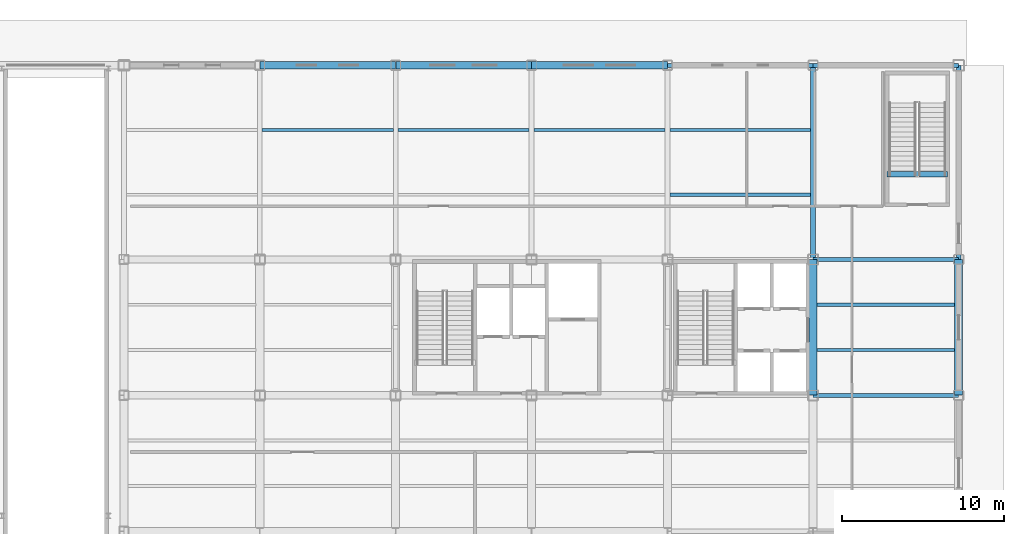
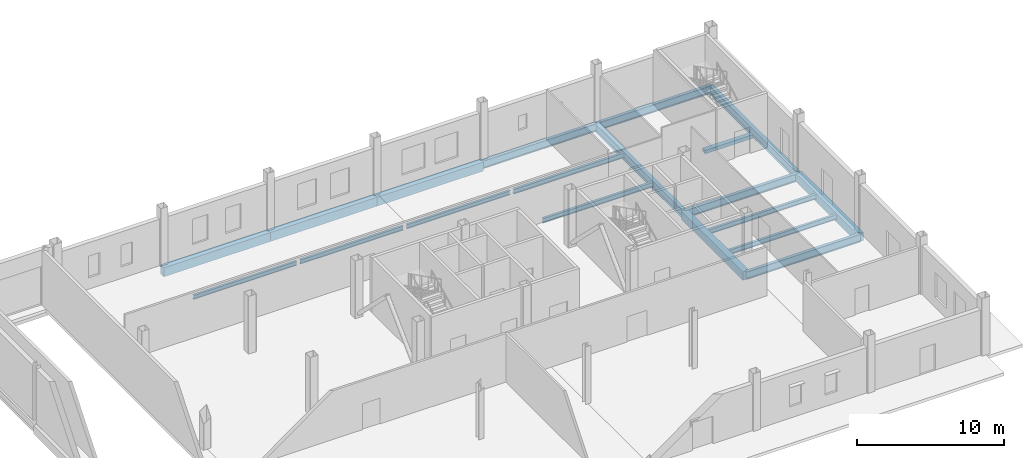
# One storey, part 34 of 82: 19 beams.
"""IFC4 building model written with IfcOpenShell, lengths in metres."""

from ifc_helpers import new_model, si_unit, direction, frame, origin, origin_2d, place, context, subcontext, project, spatial, rectangle, i_section, extrude, material, material_profile, profile_set, type_object, element, save


model = new_model("IFC4")

# Units and contexts
model_context = context("Model", 3, precision=1e-05, world=origin(), true_north=direction((0.0, 1.0)))
body_context = subcontext(model_context, "Body", "Model", "MODEL_VIEW")
ifc_project = project(units=[si_unit("LENGTHUNIT", "METRE"), si_unit("AREAUNIT", "SQUARE_METRE"), si_unit("VOLUMEUNIT", "CUBIC_METRE"), si_unit("PLANEANGLEUNIT", "RADIAN"), si_unit("MASSUNIT", "GRAM", prefix="KILO")], contexts=[model_context])

# Site, building, storey
site_placement = place(None, origin())
site = spatial("IfcSite", under=ifc_project, at=site_placement, CompositionType="ELEMENT")
building_placement = place(site_placement, origin())
building = spatial("IfcBuilding", under=site, at=building_placement, Name="Yukiwa Park Conservatory and Herbarium", CompositionType="ELEMENT")
storey_placement = place(building_placement, origin())
storey = spatial("IfcBuildingStorey", under=building, at=storey_placement, Name="L00", CompositionType="ELEMENT", Elevation=0.0)

# Beams
ifc_material_1 = material(Name="Steel Q355D", Category="steel")
ifc_material_profile_1 = material_profile(ifc_material_1, i_section(OverallWidth=0.25, OverallDepth=0.64990234375, WebThickness=0.011962890625, FlangeThickness=0.02001953125, FilletRadius=0.02392578125, at=origin_2d()), Name="HN 650x250x12x20")
ifc_profile_set_1 = profile_set([ifc_material_profile_1], Name="Steel Q355D")
beam_type_1 = type_object("IfcBeamType", Name="BM-GRD-HN650", PredefinedType="BEAM", material=ifc_profile_set_1)
for number, where, z_axis, x_axis, name in (
    (1, (159.006103515625, 94.800048828125, -0.5849609375), (1.0, 0.0, 0.0), (0.0, 1.0, 0.0), "L00 grid beam X-128"),
    (2, (159.006103515625, 103.199951171875, -0.5849609375), (1.0, 0.0, 0.0), (0.0, 1.0, 0.0), "L00 grid beam X-140"),
    (3, (150.006103515625, 115.199951171875, -0.5849609375), (1.0, 0.0, 0.0), (0.0, 1.0, 0.0), "L00 grid beam X-152"),
    (4, (159.006103515625, 115.199951171875, -0.5849609375), (1.0, 0.0, 0.0), (0.0, 1.0, 0.0), "L00 grid beam X-153"),
):
    element("IfcBeam", number, at=place(storey_placement, frame(where, z_axis=z_axis, x_axis=x_axis)), inside=storey, type_object=beam_type_1, Name=name, PredefinedType="BEAM", context=body_context, shape_type="SweptSolid", body=[
        extrude(i_section(OverallWidth=0.25, OverallDepth=0.64990234375, WebThickness=0.011962890625, FlangeThickness=0.02001953125, FilletRadius=0.02392578125, at=origin_2d()), origin(), (0.0, 0.0, 1.0), 8.98779296875),
    ])
ifc_material_2 = material(Name="Steel Q355D", Category="steel")
ifc_material_profile_2 = material_profile(ifc_material_2, i_section(OverallWidth=0.300048828125, OverallDepth=0.699951171875, WebThickness=0.012939453125, FlangeThickness=0.02392578125, FilletRadius=0.028076171875, at=origin_2d()), Name="HN 700x300x13x24")
ifc_profile_set_2 = profile_set([ifc_material_profile_2], Name="Steel Q355D")
beam_type_2 = type_object("IfcBeamType", Name="BM-GRD-HN700", PredefinedType="BEAM", material=ifc_profile_set_2)
for number, where, z_axis, x_axis, name in (
    (5, (159.0, 103.2060546875, -0.610107421875), (0.0, 1.0, 0.0), (-1.0, 0.0, 0.0), "L00 grid girder Y-297"),
    (6, (168.0, 103.2060546875, -0.610107421875), (0.0, 1.0, 0.0), (-1.0, 0.0, 0.0), "L00 grid girder Y-301"),
):
    element("IfcBeam", number, at=place(storey_placement, frame(where, z_axis=z_axis, x_axis=x_axis)), inside=storey, type_object=beam_type_2, Name=name, PredefinedType="BEAM", context=body_context, shape_type="SweptSolid", body=[
        extrude(i_section(OverallWidth=0.300048828125, OverallDepth=0.699951171875, WebThickness=0.012939453125, FlangeThickness=0.02392578125, FilletRadius=0.028076171875, at=origin_2d()), origin(), (0.0, 0.0, 1.0), 11.988037109375),
    ])
ifc_material_3 = material(Name="Steel Q355D", Category="steel")
ifc_material_profile_3 = material_profile(ifc_material_3, i_section(OverallWidth=0.174072265625, OverallDepth=0.345947265625, WebThickness=0.006103515625, FlangeThickness=0.009033203125, FilletRadius=0.013916015625, at=origin_2d()), Name="HN 346x174x6x9")
ifc_profile_set_3 = profile_set([ifc_material_profile_3], Name="Steel Q355D")
beam_type_3 = type_object("IfcBeamType", Name="BM-JST-HN346", PredefinedType="JOIST", material=ifc_profile_set_3)
beam_1_placement = place(storey_placement, frame((124.946044921875, 111.199951171875, -0.43310546875), z_axis=(1.0, 0.0, 0.0), x_axis=(0.0, 1.0, 0.0)))
element("IfcBeam", 7, at=beam_1_placement, inside=storey, type_object=beam_type_3, Name="L00 composite floor joist 196", PredefinedType="JOIST", context=body_context, shape_type="SweptSolid", body=[
    extrude(i_section(OverallWidth=0.174072265625, OverallDepth=0.345947265625, WebThickness=0.006103515625, FlangeThickness=0.009033203125, FilletRadius=0.013916015625, at=origin_2d()), origin(), (0.0, 0.0, 1.0), 8.10791015625),
])
beam_2_placement = place(storey_placement, frame((133.345947265625, 111.199951171875, -0.43310546875), z_axis=(1.0, 0.0, 0.0), x_axis=(0.0, 1.0, 0.0)))
element("IfcBeam", 8, at=beam_2_placement, inside=storey, type_object=beam_type_3, Name="L00 composite floor joist 202", PredefinedType="JOIST", context=body_context, shape_type="SweptSolid", body=[
    extrude(i_section(OverallWidth=0.174072265625, OverallDepth=0.345947265625, WebThickness=0.006103515625, FlangeThickness=0.009033203125, FilletRadius=0.013916015625, at=origin_2d()), origin(), (0.0, 0.0, 1.0), 8.108154296875),
])
beam_3_placement = place(storey_placement, frame((141.74609375, 111.199951171875, -0.43310546875), z_axis=(1.0, 0.0, 0.0), x_axis=(0.0, 1.0, 0.0)))
element("IfcBeam", 9, at=beam_3_placement, inside=storey, type_object=beam_type_3, Name="L00 composite floor joist 208", PredefinedType="JOIST", context=body_context, shape_type="SweptSolid", body=[
    extrude(i_section(OverallWidth=0.174072265625, OverallDepth=0.345947265625, WebThickness=0.006103515625, FlangeThickness=0.009033203125, FilletRadius=0.013916015625, at=origin_2d()), origin(), (0.0, 0.0, 1.0), 8.10791015625),
])
ifc_material_4 = material(Name="Steel Q355D", Category="steel")
ifc_material_profile_4 = material_profile(ifc_material_4, i_section(OverallWidth=0.198974609375, OverallDepth=0.39599609375, WebThickness=0.007080078125, FlangeThickness=0.010986328125, FilletRadius=0.01611328125, at=origin_2d()), Name="HN 396x199x7x11")
ifc_profile_set_4 = profile_set([ifc_material_profile_4], Name="Steel Q355D")
beam_type_4 = type_object("IfcBeamType", Name="BM-JST-HN396", PredefinedType="JOIST", material=ifc_profile_set_4)
for number, where, z_axis, x_axis, name in (
    (10, (150.14599609375, 107.199951171875, -0.4580078125), (1.0, 0.0, 0.0), (0.0, 1.0, 0.0), "L00 composite floor joist 213"),
    (11, (150.14599609375, 111.199951171875, -0.4580078125), (1.0, 0.0, 0.0), (0.0, 1.0, 0.0), "L00 composite floor joist 214"),
):
    element("IfcBeam", number, at=place(storey_placement, frame(where, z_axis=z_axis, x_axis=x_axis)), inside=storey, type_object=beam_type_4, Name=name, PredefinedType="JOIST", context=body_context, shape_type="SweptSolid", body=[
        extrude(i_section(OverallWidth=0.198974609375, OverallDepth=0.39599609375, WebThickness=0.007080078125, FlangeThickness=0.010986328125, FilletRadius=0.01611328125, at=origin_2d()), origin(), (0.0, 0.0, 1.0), 8.7080078125),
    ])
for number, where, z_axis, x_axis, name in (
    (12, (159.24609375, 97.60009765625, -0.4580078125), (1.0, 0.0, 0.0), (0.0, 1.0, 0.0), "L00 composite floor joist 219"),
    (13, (159.24609375, 100.39990234375, -0.4580078125), (1.0, 0.0, 0.0), (0.0, 1.0, 0.0), "L00 composite floor joist 220"),
):
    element("IfcBeam", number, at=place(storey_placement, frame(where, z_axis=z_axis, x_axis=x_axis)), inside=storey, type_object=beam_type_4, Name=name, PredefinedType="JOIST", context=body_context, shape_type="SweptSolid", body=[
        extrude(i_section(OverallWidth=0.198974609375, OverallDepth=0.39599609375, WebThickness=0.007080078125, FlangeThickness=0.010986328125, FilletRadius=0.01611328125, at=origin_2d()), origin(), (0.0, 0.0, 1.0), 8.5078125),
    ])
ifc_material_5 = material(Name="Concrete C40", Category="concrete")
ifc_material_profile_5 = material_profile(ifc_material_5, rectangle(XDim=0.449951171875, YDim=0.75, at=origin_2d()), Name="RC 450x750")
ifc_profile_set_5 = profile_set([ifc_material_profile_5], Name="Concrete C40")
beam_type_5 = type_object("IfcBeamType", Name="BM-RC-450X750", PredefinedType="BEAM", material=ifc_profile_set_5)
beam_4_placement = place(storey_placement, frame((124.805908203125, 115.199951171875, -0.635009765625), z_axis=(1.0, 0.0, 0.0), x_axis=(0.0, 1.0, 0.0)))
element("IfcBeam", 14, at=beam_4_placement, inside=storey, type_object=beam_type_5, Name="L00 grid beam X-149", PredefinedType="BEAM", context=body_context, shape_type="SweptSolid", body=[
    extrude(rectangle(XDim=0.449951171875, YDim=0.75, at=origin_2d()), origin(), (0.0, 0.0, 1.0), 8.38818359375),
])
for number, where, z_axis, x_axis, name in (
    (15, (133.2060546875, 115.199951171875, -0.635009765625), (1.0, 0.0, 0.0), (0.0, 1.0, 0.0), "L00 grid beam X-150"),
    (16, (141.60595703125, 115.199951171875, -0.635009765625), (1.0, 0.0, 0.0), (0.0, 1.0, 0.0), "L00 grid beam X-151"),
):
    element("IfcBeam", number, at=place(storey_placement, frame(where, z_axis=z_axis, x_axis=x_axis)), inside=storey, type_object=beam_type_5, Name=name, PredefinedType="BEAM", context=body_context, shape_type="SweptSolid", body=[
        extrude(rectangle(XDim=0.449951171875, YDim=0.75, at=origin_2d()), origin(), (0.0, 0.0, 1.0), 8.387939453125),
    ])
ifc_material_6 = material(Name="Concrete C40", Category="concrete")
ifc_material_profile_6 = material_profile(ifc_material_6, rectangle(XDim=0.5, YDim=0.699951171875, at=origin_2d()), Name="RC 500x700")
ifc_profile_set_6 = profile_set([ifc_material_profile_6], Name="Concrete C40")
beam_type_6 = type_object("IfcBeamType", Name="BM-RC-500X700", PredefinedType="BEAM", material=ifc_profile_set_6)
for number, where, z_axis, x_axis, name in (
    (17, (159.0, 94.805908203125, -0.610107421875), (0.0, 1.0, 0.0), (-1.0, 0.0, 0.0), "L00 grid girder Y-296"),
    (18, (168.0, 94.805908203125, -0.610107421875), (0.0, 1.0, 0.0), (-1.0, 0.0, 0.0), "L00 grid girder Y-300"),
):
    element("IfcBeam", number, at=place(storey_placement, frame(where, z_axis=z_axis, x_axis=x_axis)), inside=storey, type_object=beam_type_6, Name=name, PredefinedType="BEAM", context=body_context, shape_type="SweptSolid", body=[
        extrude(rectangle(XDim=0.5, YDim=0.699951171875, at=origin_2d()), origin(), (0.0, 0.0, 1.0), 8.38818359375),
    ])
ifc_material_7 = material(Name="Concrete C40", Category="concrete")
ifc_material_profile_7 = material_profile(ifc_material_7, rectangle(XDim=0.35009765625, YDim=0.300048828125, at=origin_2d()), Name="RC 350x300")
ifc_profile_set_7 = profile_set([ifc_material_profile_7], Name="Concrete C40")
beam_type_7 = type_object("IfcBeamType", Name="BM-STAIR-TRIM", PredefinedType="BEAM", material=ifc_profile_set_7)
beam_5_placement = place(storey_placement, frame((163.570068359375, 108.4599609375, -0.14990234375), z_axis=(1.0, 0.0, 0.0), x_axis=(0.0, 1.0, 0.0)))
element("IfcBeam", 19, at=beam_5_placement, inside=storey, type_object=beam_type_7, Name="Stair ST-T3 L00 landing trimmer beam", PredefinedType="BEAM", context=body_context, shape_type="SweptSolid", body=[
    extrude(rectangle(XDim=0.35009765625, YDim=0.300048828125, at=origin_2d()), origin(), (0.0, 0.0, 1.0), 3.75),
])

save(model, "model.ifc")
